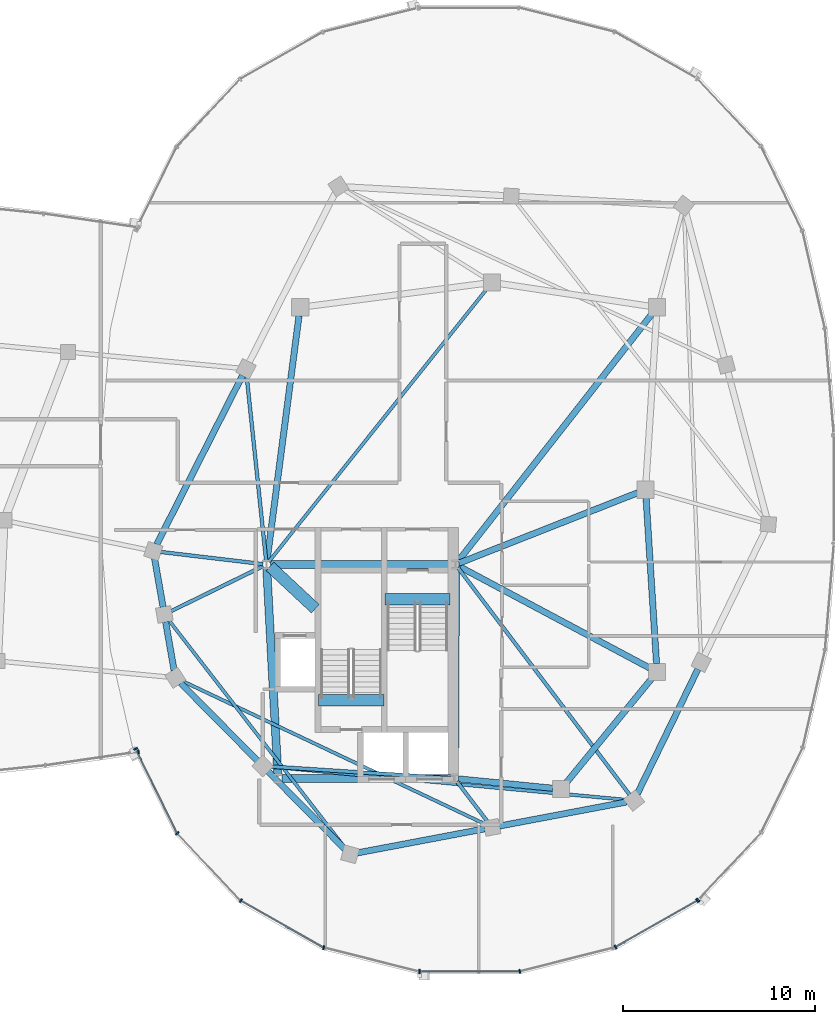
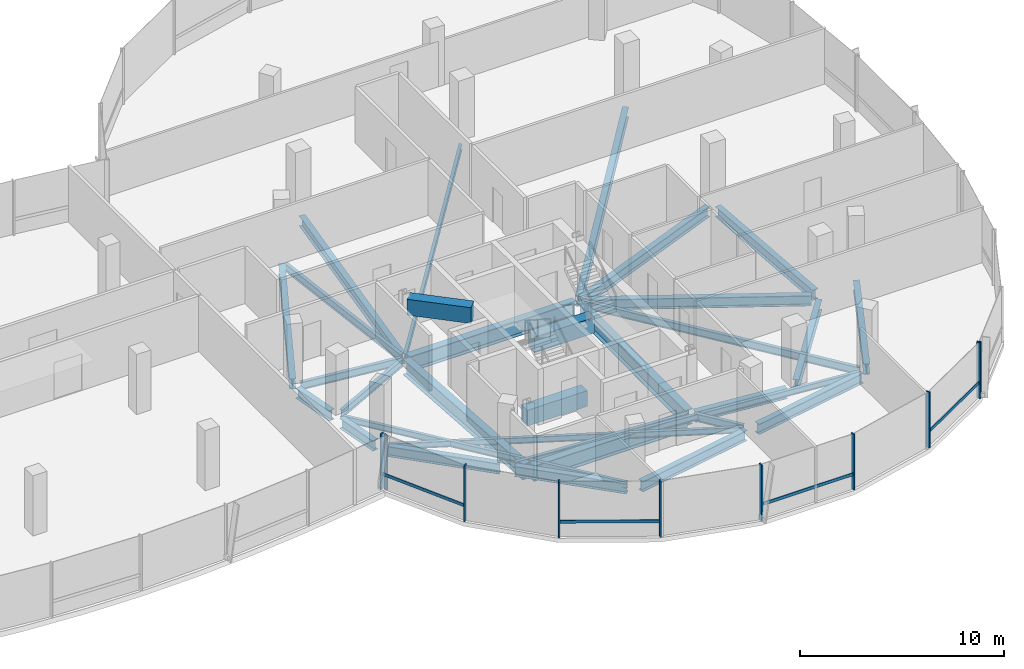
# One storey, part 8 of 26: 32 beams, 14 members, 3 elements without a shape of their own.
"""IFC4 building model written with IfcOpenShell, lengths in metres."""

import ifcopenshell
import ifcopenshell.guid

model = None  # the IFC model being written
_history = None  # IfcOwnerHistory: only IFC2X3 demands one
_inside = {}  # id of a spatial element -> (the spatial element, [elements in it])
_under = {}  # id of a project, library or spatial element -> (it, [spatial elements below it])
_declared = {}  # id of a project -> (the project, [libraries it declares])
_typed = {}  # id of a type object -> (the type object, [elements of that type])
_made_of = {}  # id of a material, layer set ... -> (it, [elements and type objects made of it])


def new_model(schema):
    """Start an empty IFC model of exactly this schema.

    Asked for "IFC4X3", IfcOpenShell would pick the latest addendum, in which some entities
    have other attributes; the version numbers below select the first issue.
    IFC2X3 requires an IfcOwnerHistory on every rooted entity: one is made here for all.
    """
    global model, _history
    if schema == "IFC4X3":
        model = ifcopenshell.file(schema_version=(4, 3, 0, 0))
    else:
        model = ifcopenshell.file(schema=schema)
    _inside.clear()
    _under.clear()
    _declared.clear()
    _typed.clear()
    _made_of.clear()
    _history = None
    if model.schema == "IFC2X3":
        org = make("IfcOrganization", Name="unknown")
        user = make(
            "IfcPersonAndOrganization",
            ThePerson=make("IfcPerson", FamilyName="unknown"),
            TheOrganization=org,
        )
        app = make(
            "IfcApplication",
            ApplicationDeveloper=org,
            Version="unknown",
            ApplicationFullName="unknown",
            ApplicationIdentifier="unknown",
        )
        _history = make(
            "IfcOwnerHistory",
            OwningUser=user,
            OwningApplication=app,
            ChangeAction="ADDED",
            CreationDate=0,
        )
    return model


def make(cls, **values):
    """One entity of the class cls with the attributes given. An attribute that is None is left unset."""
    return model.create_entity(
        cls, **{name: value for name, value in values.items() if value is not None}
    )


def rooted(cls, **values):
    """An entity with a GlobalId (a new one), such as an element, a storey or a relation."""
    return make(cls, GlobalId=ifcopenshell.guid.new(), OwnerHistory=_history, **values)


def si_unit(unit_type, name, prefix=None):
    """IfcSIUnit, for example si_unit("LENGTHUNIT", "METRE", prefix="MILLI")."""
    return make("IfcSIUnit", UnitType=unit_type, Prefix=prefix, Name=name)


def assignment(units):
    """IfcUnitAssignment: the units of a project."""
    return None if units is None else make("IfcUnitAssignment", Units=units)


def point(xyz):
    """IfcCartesianPoint."""
    return None if xyz is None else make("IfcCartesianPoint", Coordinates=xyz)


def direction(xyz):
    """IfcDirection."""
    return None if xyz is None else make("IfcDirection", DirectionRatios=xyz)


def frame(location, z_axis=None, x_axis=None):
    """IfcAxis2Placement3D, a coordinate frame: its origin and axes. An axis left out is left unset."""
    return make(
        "IfcAxis2Placement3D",
        Location=point(location),
        Axis=direction(z_axis),
        RefDirection=direction(x_axis),
    )


def frame_2d(location, x_axis=None):
    """IfcAxis2Placement2D, a coordinate frame in the plane: its origin and x axis."""
    return make(
        "IfcAxis2Placement2D", Location=point(location), RefDirection=direction(x_axis)
    )


def origin():
    """The frame at (0, 0, 0) with its axes left unset."""
    return frame((0.0, 0.0, 0.0))


def origin_2d():
    """The frame at (0, 0) in the plane with its x axis left unset."""
    return frame_2d((0.0, 0.0))


def place(relative_to, where):
    """IfcLocalPlacement: puts the frame where relative to a parent placement (None: the world)."""
    return make(
        "IfcLocalPlacement", PlacementRelTo=relative_to, RelativePlacement=where
    )


def context(
    kind, dimensions, precision=None, world=None, true_north=None, identifier=None
):
    """IfcGeometricRepresentationContext, for example the 3D "Model" context."""
    return make(
        "IfcGeometricRepresentationContext",
        ContextIdentifier=identifier,
        ContextType=kind,
        CoordinateSpaceDimension=dimensions,
        Precision=precision,
        WorldCoordinateSystem=world,
        TrueNorth=true_north,
    )


def subcontext(parent, identifier, kind, view, scale=None):
    """IfcGeometricRepresentationSubContext, for example "Body" below "Model"."""
    return make(
        "IfcGeometricRepresentationSubContext",
        ContextIdentifier=identifier,
        ContextType=kind,
        ParentContext=parent,
        TargetScale=scale,
        TargetView=view,
    )


def project(units=None, contexts=None):
    """IfcProject with its units and contexts."""
    return rooted(
        "IfcProject",
        Name="project",
        RepresentationContexts=contexts,
        UnitsInContext=assignment(units),
    )


def spatial(cls, under=None, at=None, **own):
    """A site, building, storey or space (cls), placed at a placement, below another one or the project."""
    s = rooted(cls, ObjectPlacement=at, **own)
    if under is not None:
        _under.setdefault(under.id(), (under, []))[1].append(s)
    return s


def profile(cls, at=None, kind="AREA", **sizes):
    """A parametric profile (cls). Its sizes go by their IFC names, for example OverallWidth=200.0."""
    return make(cls, ProfileType=kind, Position=at, **sizes)


def rectangle(**sizes):
    """IfcRectangleProfileDef."""
    return profile("IfcRectangleProfileDef", **sizes)


def i_section(**sizes):
    """IfcIShapeProfileDef."""
    return profile("IfcIShapeProfileDef", **sizes)


def extrude(swept, where, along, depth):
    """IfcExtrudedAreaSolid: the profile swept, set in the frame where, extruded along a direction by depth."""
    return make(
        "IfcExtrudedAreaSolid",
        SweptArea=swept,
        Position=where,
        ExtrudedDirection=direction(along),
        Depth=depth,
    )


def shape(context_of_items, identifier, shape_type, items):
    """IfcShapeRepresentation: the items that make up one representation, for example the "Body"."""
    return make(
        "IfcShapeRepresentation",
        ContextOfItems=context_of_items,
        RepresentationIdentifier=identifier,
        RepresentationType=shape_type,
        Items=items,
    )


def material(Name=None, Category=None):
    """IfcMaterial."""
    return make("IfcMaterial", Name=Name, Category=Category)


def material_profile(
    of_material, cross_section, Name=None, Category=None, Priority=None
):
    """IfcMaterialProfile: a cross section and its material."""
    return make(
        "IfcMaterialProfile",
        Name=Name,
        Material=of_material,
        Profile=cross_section,
        Priority=Priority,
        Category=Category,
    )


def profile_set(profiles, Name=None, composite=None):
    """IfcMaterialProfileSet."""
    return make(
        "IfcMaterialProfileSet",
        Name=Name,
        MaterialProfiles=profiles,
        CompositeProfile=composite,
    )


def made_of(thing, what):
    """Note that an element or type object is made of a material, layer set ...; save() writes the relation."""
    if what is not None:
        _made_of.setdefault(what.id(), (what, []))[1].append(thing)
    return thing


def type_object(cls, material=None, **own):
    """A type object (cls), such as IfcWallType, which elements share."""
    return made_of(rooted(cls, **own), material)


def element(
    cls,
    number,
    at=None,
    inside=None,
    cuts=None,
    type_object=None,
    material=None,
    context=None,
    identifier="Body",
    shape_type=None,
    held_by="IfcProductDefinitionShape",
    body=None,
    shapes=None,
    **own,
):
    """One element of the class cls, such as IfcWall. Its Tag is "e" and its number.

    at: its placement. inside: the storey or other place that contains it. cuts: it is an
    opening in that element (IfcRelVoidsElement). A single representation is given by context,
    identifier, shape_type and body (its items); several are given by shapes. held_by: the class
    of the entity that holds the representations. save() writes the other relations.
    """
    e = rooted(cls, Tag="e%d" % number, ObjectPlacement=at, **own)
    if body is not None:
        shapes = [shape(context, identifier, shape_type, body)]
    if shapes is not None:
        e.Representation = make(held_by, Representations=shapes)
    if inside is not None:
        _inside.setdefault(inside.id(), (inside, []))[1].append(e)
    if cuts is not None:
        rooted(
            "IfcRelVoidsElement", RelatingBuildingElement=cuts, RelatedOpeningElement=e
        )
    if type_object is not None:
        _typed.setdefault(type_object.id(), (type_object, []))[1].append(e)
    return made_of(e, material)


def aggregate(whole, parts):
    """IfcRelAggregates: a whole, such as a stair, and the parts it consists of."""
    return rooted("IfcRelAggregates", RelatingObject=whole, RelatedObjects=parts)


def save(model, path):
    """Write the relations noted so far, then the file.

    IfcRelAggregates (storeys below a building ...), IfcRelContainedInSpatialStructure (elements
    in a storey), IfcRelDefinesByType, IfcRelAssociatesMaterial and IfcRelDeclares: one each for
    every whole, place, type object, material and project.
    """
    for whole, parts in _under.values():
        aggregate(whole, parts)
    for where, things in _inside.values():
        rooted(
            "IfcRelContainedInSpatialStructure",
            RelatedElements=things,
            RelatingStructure=where,
        )
    for kind, things in _typed.values():
        rooted("IfcRelDefinesByType", RelatedObjects=things, RelatingType=kind)
    for what, things in _made_of.values():
        rooted("IfcRelAssociatesMaterial", RelatedObjects=things, RelatingMaterial=what)
    for by, libraries in _declared.values():
        rooted("IfcRelDeclares", RelatingContext=by, RelatedDefinitions=libraries)
    model.write(path)


model = new_model("IFC4")

# Units and contexts
model_context = context("Model", 3, precision=1e-05, world=origin(), true_north=direction((0.0, 1.0)))
body_context = subcontext(model_context, "Body", "Model", "MODEL_VIEW")
ifc_project = project(units=[si_unit("LENGTHUNIT", "METRE"), si_unit("AREAUNIT", "SQUARE_METRE"), si_unit("VOLUMEUNIT", "CUBIC_METRE"), si_unit("PLANEANGLEUNIT", "RADIAN"), si_unit("MASSUNIT", "GRAM", prefix="KILO"), si_unit("THERMODYNAMICTEMPERATUREUNIT", "KELVIN"), si_unit("POWERUNIT", "WATT")], contexts=[model_context])

# Site, building, storey
site_placement = place(None, origin())
site = spatial("IfcSite", under=ifc_project, at=site_placement, CompositionType="ELEMENT")
building_placement = place(site_placement, origin())
building = spatial("IfcBuilding", under=site, at=building_placement, Name="Cundina Bronze Exchange", CompositionType="ELEMENT")
storey_placement = place(building_placement, frame((0.0, 0.0, 264.800048828125)))
storey = spatial("IfcBuildingStorey", under=building, at=storey_placement, Name="L70", CompositionType="ELEMENT", Elevation=264.800048828125)

# Beams
ifc_material_1 = material(Name="Concrete C60/75", Category="concrete")
ifc_material_profile_1 = material_profile(ifc_material_1, rectangle(XDim=0.60009765625, YDim=0.949951171875, at=origin_2d()), Name="RC600X950", Category="concrete")
ifc_profile_set_1 = profile_set([ifc_material_profile_1], Name="Concrete C60/75")
beam_type_1 = type_object("IfcBeamType", Name="BM-COUP-RC950", PredefinedType="LINTEL", material=ifc_profile_set_1)
beam_1_placement = place(storey_placement, frame((27.6201171875, -5.719970703125, -0.47509765625), z_axis=(1.0, 0.0, 0.0), x_axis=(0.0, 1.0, 0.0)))
element("IfcBeam", 1, at=beam_1_placement, inside=storey, type_object=beam_type_1, Name="L70 Stair E1 Landing Header Beam", PredefinedType="LINTEL", context=body_context, shape_type="SweptSolid", body=[
    extrude(rectangle(XDim=0.60009765625, YDim=0.949951171875, at=origin_2d()), origin(), (0.0, 0.0, 1.0), 3.39990234375),
])
beam_2_placement = place(storey_placement, frame((24.159912109375, -10.97998046875, -0.47509765625), z_axis=(1.0, 0.0, 0.0), x_axis=(0.0, 1.0, 0.0)))
element("IfcBeam", 2, at=beam_2_placement, inside=storey, type_object=beam_type_1, Name="L70 Stair E2 Landing Header Beam", PredefinedType="LINTEL", context=body_context, shape_type="SweptSolid", body=[
    extrude(rectangle(XDim=0.60009765625, YDim=0.949951171875, at=origin_2d()), origin(), (0.0, 0.0, 1.0), 3.400146484375),
])
beam_3_placement = place(storey_placement, frame((21.6298828125, -4.0, 2.864990234375), z_axis=(0.731490439815, -0.681851696822, 0.0), x_axis=(0.681851696822, 0.731490439815, 0.0)))
element("IfcBeam", 3, at=beam_3_placement, inside=storey, type_object=beam_type_1, Name="L70 E Core Shear Coupling Lintel Beam", PredefinedType="LINTEL", context=body_context, shape_type="SweptSolid", body=[
    extrude(rectangle(XDim=0.60009765625, YDim=0.949951171875, at=origin_2d()), origin(), (0.0, 0.0, 1.0), 3.226318359375),
])
ifc_material_2 = material(Name="Steel ASTM A992 Grade 50", Category="steel")
ifc_material_profile_2 = material_profile(ifc_material_2, i_section(OverallWidth=0.19091796875, OverallDepth=0.4599609375, WebThickness=0.010009765625, FlangeThickness=0.01611328125, FilletRadius=0.011962890625, at=origin_2d()), Name="W18X55", Category="steel")
ifc_profile_set_2 = profile_set([ifc_material_profile_2], Name="Steel ASTM A992 Grade 50")
beam_type_2 = type_object("IfcBeamType", Name="BM-FLR-W18B", PredefinedType="BEAM", material=ifc_profile_set_2)
beam_4_placement = place(storey_placement, frame((21.25537109375, -3.876953125, -0.489990234375), z_axis=(-0.993031892142, 0.117845921393, 0.0), x_axis=(-0.117845921393, -0.993031892142, 0.0)))
element("IfcBeam", 4, at=beam_4_placement, inside=storey, type_object=beam_type_2, Name="L70 Leg E Chordal Floor Beam 00", PredefinedType="BEAM", context=body_context, shape_type="SweptSolid", body=[
    extrude(i_section(OverallWidth=0.19091796875, OverallDepth=0.4599609375, WebThickness=0.010009765625, FlangeThickness=0.01611328125, FilletRadius=0.011962890625, at=origin_2d()), origin(), (0.0, 0.0, 1.0), 5.357421875),
])
beam_5_placement = place(storey_placement, frame((21.27392578125, -3.986083984375, -0.489990234375), z_axis=(-0.898610260891, -0.438747762412, 0.0), x_axis=(0.438747762412, -0.898610260891, 0.0)))
element("IfcBeam", 5, at=beam_5_placement, inside=storey, type_object=beam_type_2, Name="L70 Leg E Chordal Floor Beam 01", PredefinedType="BEAM", context=body_context, shape_type="SweptSolid", body=[
    extrude(i_section(OverallWidth=0.19091796875, OverallDepth=0.4599609375, WebThickness=0.010009765625, FlangeThickness=0.01611328125, FilletRadius=0.011962890625, at=origin_2d()), origin(), (0.0, 0.0, 1.0), 5.341796875),
])
beam_6_placement = place(storey_placement, frame((31.054443359375, -15.037353515625, -0.489990234375), z_axis=(-0.997894580734, 0.064856809527, 0.0), x_axis=(-0.064856809527, -0.997894580734, 0.0)))
element("IfcBeam", 6, at=beam_6_placement, inside=storey, type_object=beam_type_2, Name="L70 Leg E Chordal Floor Beam 03", PredefinedType="BEAM", context=body_context, shape_type="SweptSolid", body=[
    extrude(i_section(OverallWidth=0.19091796875, OverallDepth=0.4599609375, WebThickness=0.010009765625, FlangeThickness=0.01611328125, FilletRadius=0.011962890625, at=origin_2d()), origin(), (0.0, 0.0, 1.0), 9.43701171875),
])
beam_7_placement = place(storey_placement, frame((31.369140625, -15.205810546875, -0.489990234375), z_axis=(0.607470812638, -0.794341999263, 0.0), x_axis=(0.794341999263, 0.607470812638, 0.0)))
element("IfcBeam", 7, at=beam_7_placement, inside=storey, type_object=beam_type_2, Name="L70 Leg E Chordal Floor Beam 05", PredefinedType="BEAM", context=body_context, shape_type="SweptSolid", body=[
    extrude(i_section(OverallWidth=0.19091796875, OverallDepth=0.4599609375, WebThickness=0.010009765625, FlangeThickness=0.01611328125, FilletRadius=0.011962890625, at=origin_2d()), origin(), (0.0, 0.0, 1.0), 2.6259765625),
])
beam_8_placement = place(storey_placement, frame((31.418212890625, -4.056396484375, -0.489990234375), z_axis=(0.603112871583, -0.797655855699, 0.0), x_axis=(0.797655855699, 0.603112871583, 0.0)))
element("IfcBeam", 8, at=beam_8_placement, inside=storey, type_object=beam_type_2, Name="L70 Leg E Chordal Floor Beam 06", PredefinedType="BEAM", context=body_context, shape_type="SweptSolid", body=[
    extrude(i_section(OverallWidth=0.19091796875, OverallDepth=0.4599609375, WebThickness=0.010009765625, FlangeThickness=0.01611328125, FilletRadius=0.011962890625, at=origin_2d()), origin(), (0.0, 0.0, 1.0), 14.8359375),
])
beam_9_placement = place(storey_placement, frame((21.429443359375, -3.705078125, -0.489990234375), z_axis=(-0.10480040809, 0.994493275223, 0.0), x_axis=(-0.994493275223, -0.10480040809, 0.0)))
element("IfcBeam", 9, at=beam_9_placement, inside=storey, type_object=beam_type_2, Name="L70 Leg E Chordal Floor Beam 13", PredefinedType="BEAM", context=body_context, shape_type="SweptSolid", body=[
    extrude(i_section(OverallWidth=0.19091796875, OverallDepth=0.4599609375, WebThickness=0.010009765625, FlangeThickness=0.01611328125, FilletRadius=0.011962890625, at=origin_2d()), origin(), (0.0, 0.0, 1.0), 9.67236328125),
])
ifc_material_profile_3 = material_profile(ifc_material_2, i_section(OverallWidth=0.172119140625, OverallDepth=0.35791015625, WebThickness=0.0078125, FlangeThickness=0.01318359375, FilletRadius=0.010009765625, at=origin_2d()), Name="W14X38", Category="steel")
ifc_profile_set_3 = profile_set([ifc_material_profile_3], Name="Steel ASTM A992 Grade 50")
beam_type_3 = type_object("IfcBeamType", Name="BM-JST-W14", PredefinedType="JOIST", material=ifc_profile_set_3)
beam_10_placement = place(storey_placement, frame((21.572509765625, -3.746826171875, -0.43896484375), z_axis=(0.624364266872, 0.781133319129, 0.0), x_axis=(-0.781133319129, 0.624364266872, 0.0)))
element("IfcBeam", 10, at=beam_10_placement, inside=storey, type_object=beam_type_3, Name="L70 E Interior Core-to-Ring Joist 2", PredefinedType="JOIST", context=body_context, shape_type="SweptSolid", body=[
    extrude(i_section(OverallWidth=0.172119140625, OverallDepth=0.35791015625, WebThickness=0.0078125, FlangeThickness=0.01318359375, FilletRadius=0.010009765625, at=origin_2d()), origin(), (0.0, 0.0, 1.0), 18.184814453125),
])
beam_11_placement = place(storey_placement, frame((16.362548828125, -6.806884765625, -0.43896484375), z_axis=(0.612077855816, -0.790797507849, 0.0), x_axis=(0.790797507849, 0.612077855816, 0.0)))
element("IfcBeam", 11, at=beam_11_placement, inside=storey, type_object=beam_type_3, Name="L70 Leg E Lobe Floor Joist 01-04", PredefinedType="JOIST", context=body_context, shape_type="SweptSolid", body=[
    extrude(i_section(OverallWidth=0.172119140625, OverallDepth=0.35791015625, WebThickness=0.0078125, FlangeThickness=0.01318359375, FilletRadius=0.010009765625, at=origin_2d()), origin(), (0.0, 0.0, 1.0), 15.03076171875),
])
beam_12_placement = place(storey_placement, frame((17.05078125, -9.9658203125, -0.43896484375), z_axis=(0.904073247994, -0.427377540661, 0.0), x_axis=(0.427377540661, 0.904073247994, 0.0)))
element("IfcBeam", 12, at=beam_12_placement, inside=storey, type_object=beam_type_3, Name="L70 Leg E Lobe Floor Joist 02-05", PredefinedType="JOIST", context=body_context, shape_type="SweptSolid", body=[
    extrude(i_section(OverallWidth=0.172119140625, OverallDepth=0.35791015625, WebThickness=0.0078125, FlangeThickness=0.01318359375, FilletRadius=0.010009765625, at=origin_2d()), origin(), (0.0, 0.0, 1.0), 17.474609375),
])
beam_13_placement = place(storey_placement, frame((21.63623046875, -14.435791015625, -0.43896484375), z_axis=(0.995700514338, -0.092630911398, 0.0), x_axis=(0.092630911398, 0.995700514338, 0.0)))
element("IfcBeam", 13, at=beam_13_placement, inside=storey, type_object=beam_type_3, Name="L70 Leg E Lobe Floor Joist 03-06", PredefinedType="JOIST", context=body_context, shape_type="SweptSolid", body=[
    extrude(i_section(OverallWidth=0.172119140625, OverallDepth=0.35791015625, WebThickness=0.0078125, FlangeThickness=0.01318359375, FilletRadius=0.010009765625, at=origin_2d()), origin(), (0.0, 0.0, 1.0), 18.65771484375),
])
ifc_material_profile_4 = material_profile(ifc_material_2, i_section(OverallWidth=0.324951171875, OverallDepth=0.615966796875, WebThickness=0.013916015625, FlangeThickness=0.021484375, FilletRadius=0.01611328125, at=origin_2d()), Name="W24X117", Category="steel")
ifc_profile_set_4 = profile_set([ifc_material_profile_4], Name="Steel ASTM A992 Grade 50")
beam_type_4 = type_object("IfcBeamType", Name="BM-RING-W24", PredefinedType="USERDEFINED", material=ifc_profile_set_4)
beam_14_placement = place(storey_placement, frame((31.445068359375, -15.0693359375, -0.568115234375), z_axis=(0.995123854478, -0.09863323096, 0.0), x_axis=(0.09863323096, 0.995123854478, 0.0)))
element("IfcBeam", 14, at=beam_14_placement, inside=storey, type_object=beam_type_4, Name="L70 E Inner Structural Ring Girder 01", ObjectType="GIRDER", PredefinedType="USERDEFINED", context=body_context, shape_type="SweptSolid", body=[
    extrude(i_section(OverallWidth=0.324951171875, OverallDepth=0.615966796875, WebThickness=0.013916015625, FlangeThickness=0.021484375, FilletRadius=0.01611328125, at=origin_2d()), origin(), (0.0, 0.0, 1.0), 4.943115234375),
])
beam_15_placement = place(storey_placement, frame((37.07763671875, -15.26123046875, -0.568115234375), z_axis=(0.633912590175, 0.77340469873, 0.0), x_axis=(-0.77340469873, 0.633912590175, 0.0)))
element("IfcBeam", 15, at=beam_15_placement, inside=storey, type_object=beam_type_4, Name="L70 E Inner Structural Ring Girder 02", ObjectType="GIRDER", PredefinedType="USERDEFINED", context=body_context, shape_type="SweptSolid", body=[
    extrude(i_section(OverallWidth=0.324951171875, OverallDepth=0.615966796875, WebThickness=0.013916015625, FlangeThickness=0.021484375, FilletRadius=0.01611328125, at=origin_2d()), origin(), (0.0, 0.0, 1.0), 7.01123046875),
])
beam_16_placement = place(storey_placement, frame((41.7724609375, -9.06298828125, -0.568115234375), z_axis=(-0.063046519736, 0.998010589297, 0.0), x_axis=(-0.998010589297, -0.063046519736, 0.0)))
element("IfcBeam", 16, at=beam_16_placement, inside=storey, type_object=beam_type_4, Name="L70 E Inner Structural Ring Girder 03", ObjectType="GIRDER", PredefinedType="USERDEFINED", context=body_context, shape_type="SweptSolid", body=[
    extrude(i_section(OverallWidth=0.324951171875, OverallDepth=0.615966796875, WebThickness=0.013916015625, FlangeThickness=0.021484375, FilletRadius=0.01611328125, at=origin_2d()), origin(), (0.0, 0.0, 1.0), 8.64306640625),
])
beam_17_placement = place(storey_placement, frame((23.143310546875, 9.065673828125, -0.568115234375), z_axis=(-0.129501251979, -0.991579258424, 0.0), x_axis=(0.991579258424, -0.129501251979, 0.0)))
element("IfcBeam", 17, at=beam_17_placement, inside=storey, type_object=beam_type_4, Name="L70 E Inner Structural Ring Girder 07", ObjectType="GIRDER", PredefinedType="USERDEFINED", context=body_context, shape_type="SweptSolid", body=[
    extrude(i_section(OverallWidth=0.324951171875, OverallDepth=0.615966796875, WebThickness=0.013916015625, FlangeThickness=0.021484375, FilletRadius=0.01611328125, at=origin_2d()), origin(), (0.0, 0.0, 1.0), 12.8798828125),
])
beam_18_placement = place(storey_placement, frame((31.482421875, -3.828125, -0.568115234375), z_axis=(0.930404106569, 0.366535398673, 0.0), x_axis=(-0.366535398673, 0.930404106569, 0.0)))
element("IfcBeam", 18, at=beam_18_placement, inside=storey, type_object=beam_type_4, Name="L70 E Core-to-Waist Tie Beam 1", ObjectType="GIRDER", PredefinedType="USERDEFINED", context=body_context, shape_type="SweptSolid", body=[
    extrude(i_section(OverallWidth=0.324951171875, OverallDepth=0.615966796875, WebThickness=0.013916015625, FlangeThickness=0.021484375, FilletRadius=0.01611328125, at=origin_2d()), origin(), (0.0, 0.0, 1.0), 10.00634765625),
])
beam_19_placement = place(storey_placement, frame((31.472900390625, -3.9921875, -0.568115234375), z_axis=(0.882350541683, -0.470592734317, 0.0), x_axis=(0.470592734317, 0.882350541683, 0.0)))
element("IfcBeam", 19, at=beam_19_placement, inside=storey, type_object=beam_type_4, Name="L70 E Core-to-Waist Tie Beam 2", ObjectType="GIRDER", PredefinedType="USERDEFINED", context=body_context, shape_type="SweptSolid", body=[
    extrude(i_section(OverallWidth=0.324951171875, OverallDepth=0.615966796875, WebThickness=0.013916015625, FlangeThickness=0.021484375, FilletRadius=0.01611328125, at=origin_2d()), origin(), (0.0, 0.0, 1.0), 11.26611328125),
])
beam_20_placement = place(storey_placement, frame((31.4208984375, -3.74560546875, -0.568115234375), z_axis=(0.616782900053, 0.787133314123, 0.0), x_axis=(-0.787133314123, 0.616782900053, 0.0)))
element("IfcBeam", 20, at=beam_20_placement, inside=storey, type_object=beam_type_4, Name="L70 E Core-to-Waist Tie Beam 3", ObjectType="GIRDER", PredefinedType="USERDEFINED", context=body_context, shape_type="SweptSolid", body=[
    extrude(i_section(OverallWidth=0.324951171875, OverallDepth=0.615966796875, WebThickness=0.013916015625, FlangeThickness=0.021484375, FilletRadius=0.01611328125, at=origin_2d()), origin(), (0.0, 0.0, 1.0), 16.3896484375),
])
for number, where, z_axis, x_axis, name in (
    (21, (15.61669921875, -3.582275390625, -0.568115234375), (0.171593362587, -0.985167862811, 0.0), (0.985167862811, 0.171593362587, 0.0), "L70 E Perimeter Ring Girder 00"),
    (22, (16.191650390625, -6.882080078125, -0.568115234375), (0.171593362587, -0.985167862811, 0.0), (0.985167862811, 0.171593362587, 0.0), "L70 E Perimeter Ring Girder 01"),
):
    element("IfcBeam", number, at=place(storey_placement, frame(where, z_axis=z_axis, x_axis=x_axis)), inside=storey, type_object=beam_type_4, Name=name, ObjectType="GIRDER", PredefinedType="USERDEFINED", context=body_context, shape_type="SweptSolid", body=[
        extrude(i_section(OverallWidth=0.324951171875, OverallDepth=0.615966796875, WebThickness=0.013916015625, FlangeThickness=0.021484375, FilletRadius=0.01611328125, at=origin_2d()), origin(), (0.0, 0.0, 1.0), 2.57373046875),
    ])
beam_21_placement = place(storey_placement, frame((16.972900390625, -10.075927734375, -0.568115234375), z_axis=(0.703237257446, -0.710955244541, 0.0), x_axis=(0.710955244541, 0.703237257446, 0.0)))
element("IfcBeam", 23, at=beam_21_placement, inside=storey, type_object=beam_type_4, Name="L70 E Perimeter Ring Girder 02", ObjectType="GIRDER", PredefinedType="USERDEFINED", context=body_context, shape_type="SweptSolid", body=[
    extrude(i_section(OverallWidth=0.324951171875, OverallDepth=0.615966796875, WebThickness=0.013916015625, FlangeThickness=0.021484375, FilletRadius=0.01611328125, at=origin_2d()), origin(), (0.0, 0.0, 1.0), 5.69384765625),
])
beam_22_placement = place(storey_placement, frame((21.52294921875, -14.67578125, -0.568115234375), z_axis=(0.703215820204, -0.710976448425, 0.0), x_axis=(0.710976448425, 0.703215820204, 0.0)))
element("IfcBeam", 24, at=beam_22_placement, inside=storey, type_object=beam_type_4, Name="L70 E Perimeter Ring Girder 03", ObjectType="GIRDER", PredefinedType="USERDEFINED", context=body_context, shape_type="SweptSolid", body=[
    extrude(i_section(OverallWidth=0.324951171875, OverallDepth=0.615966796875, WebThickness=0.013916015625, FlangeThickness=0.021484375, FilletRadius=0.01611328125, at=origin_2d()), origin(), (0.0, 0.0, 1.0), 5.694091796875),
])
beam_23_placement = place(storey_placement, frame((26.18115234375, -18.927978515625, -0.568115234375), z_axis=(0.982568104771, 0.185902984072, 0.0), x_axis=(-0.185902984072, 0.982568104771, 0.0)))
element("IfcBeam", 25, at=beam_23_placement, inside=storey, type_object=beam_type_4, Name="L70 E Perimeter Ring Girder 04", ObjectType="GIRDER", PredefinedType="USERDEFINED", context=body_context, shape_type="SweptSolid", body=[
    extrude(i_section(OverallWidth=0.324951171875, OverallDepth=0.615966796875, WebThickness=0.013916015625, FlangeThickness=0.021484375, FilletRadius=0.01611328125, at=origin_2d()), origin(), (0.0, 0.0, 1.0), 6.75537109375),
])
beam_24_placement = place(storey_placement, frame((33.581298828125, -17.52783203125, -0.568115234375), z_axis=(0.982573456977, 0.185874693392, 0.0), x_axis=(-0.185874693392, 0.982573456977, 0.0)))
element("IfcBeam", 26, at=beam_24_placement, inside=storey, type_object=beam_type_4, Name="L70 E Perimeter Ring Girder 05", ObjectType="GIRDER", PredefinedType="USERDEFINED", context=body_context, shape_type="SweptSolid", body=[
    extrude(i_section(OverallWidth=0.324951171875, OverallDepth=0.615966796875, WebThickness=0.013916015625, FlangeThickness=0.021484375, FilletRadius=0.01611328125, at=origin_2d()), origin(), (0.0, 0.0, 1.0), 6.755126953125),
])
beam_25_placement = place(storey_placement, frame((40.76953125, -15.85107421875, -0.568115234375), z_axis=(0.437216986791, 0.899356050995, 0.0), x_axis=(-0.899356050995, 0.437216986791, 0.0)))
element("IfcBeam", 27, at=beam_25_placement, inside=storey, type_object=beam_type_4, Name="L70 E Perimeter Ring Girder 06", ObjectType="GIRDER", PredefinedType="USERDEFINED", context=body_context, shape_type="SweptSolid", body=[
    extrude(i_section(OverallWidth=0.324951171875, OverallDepth=0.615966796875, WebThickness=0.013916015625, FlangeThickness=0.021484375, FilletRadius=0.01611328125, at=origin_2d()), origin(), (0.0, 0.0, 1.0), 7.2294921875),
])
beam_26_placement = place(storey_placement, frame((20.19921875, 5.9541015625, -0.568115234375), z_axis=(-0.452839263805, -0.891592171991, 0.0), x_axis=(0.891592171991, -0.452839263805, 0.0)))
element("IfcBeam", 28, at=beam_26_placement, inside=storey, type_object=beam_type_4, Name="L70 E Perimeter Ring Girder 13", ObjectType="GIRDER", PredefinedType="USERDEFINED", context=body_context, shape_type="SweptSolid", body=[
    extrude(i_section(OverallWidth=0.324951171875, OverallDepth=0.615966796875, WebThickness=0.013916015625, FlangeThickness=0.021484375, FilletRadius=0.01611328125, at=origin_2d()), origin(), (0.0, 0.0, 1.0), 9.879150390625),
])
ifc_material_profile_5 = material_profile(ifc_material_2, i_section(OverallWidth=0.41796875, OverallDepth=0.927001953125, WebThickness=0.019287109375, FlangeThickness=0.031982421875, FilletRadius=0.02392578125, at=origin_2d()), Name="W36X231", Category="steel")
ifc_profile_set_5 = profile_set([ifc_material_profile_5], Name="Steel ASTM A992 Grade 50")
beam_type_5 = type_object("IfcBeamType", Name="BM-WRN-W36B", PredefinedType="USERDEFINED", material=ifc_profile_set_5)
beam_27_placement = place(storey_placement, frame((31.10400390625, -3.89990234375, -0.7236328125), z_axis=(-1.0, 0.0, 0.0), x_axis=(0.0, -1.0, 0.0)))
element("IfcBeam", 29, at=beam_27_placement, inside=storey, type_object=beam_type_5, Name="L70 E Core Perimeter Tie Girder 1", ObjectType="GIRDER", PredefinedType="USERDEFINED", context=body_context, shape_type="SweptSolid", body=[
    extrude(i_section(OverallWidth=0.41796875, OverallDepth=0.927001953125, WebThickness=0.019287109375, FlangeThickness=0.031982421875, FilletRadius=0.02392578125, at=origin_2d()), origin(), (0.0, 0.0, 1.0), 9.4580078125),
])
beam_28_placement = place(storey_placement, frame((21.46044921875, -4.095703125, -0.7236328125), z_axis=(0.053749317644, -0.998554460634, 0.0), x_axis=(0.998554460634, 0.053749317644, 0.0)))
element("IfcBeam", 30, at=beam_28_placement, inside=storey, type_object=beam_type_5, Name="L70 E Core Perimeter Tie Girder 2", ObjectType="GIRDER", PredefinedType="USERDEFINED", context=body_context, shape_type="SweptSolid", body=[
    extrude(i_section(OverallWidth=0.41796875, OverallDepth=0.927001953125, WebThickness=0.019287109375, FlangeThickness=0.031982421875, FilletRadius=0.02392578125, at=origin_2d()), origin(), (0.0, 0.0, 1.0), 10.774169921875),
])
beam_29_placement = place(storey_placement, frame((22.24609375, -15.050048828125, -0.7236328125), z_axis=(1.0, 0.0, 0.0), x_axis=(0.0, 1.0, 0.0)))
element("IfcBeam", 31, at=beam_29_placement, inside=storey, type_object=beam_type_5, Name="L70 E Core Perimeter Tie Girder 3", ObjectType="GIRDER", PredefinedType="USERDEFINED", context=body_context, shape_type="SweptSolid", body=[
    extrude(i_section(OverallWidth=0.41796875, OverallDepth=0.927001953125, WebThickness=0.019287109375, FlangeThickness=0.031982421875, FilletRadius=0.02392578125, at=origin_2d()), origin(), (0.0, 0.0, 1.0), 8.807861328125),
])
beam_30_placement = place(storey_placement, frame((31.2509765625, -14.85400390625, -0.7236328125), z_axis=(0.004470623654, 0.999990006712, 0.0), x_axis=(-0.999990006712, 0.004470623654, 0.0)))
element("IfcBeam", 32, at=beam_30_placement, inside=storey, type_object=beam_type_5, Name="L70 E Core Perimeter Tie Girder 4", ObjectType="GIRDER", PredefinedType="USERDEFINED", context=body_context, shape_type="SweptSolid", body=[
    extrude(i_section(OverallWidth=0.41796875, OverallDepth=0.927001953125, WebThickness=0.019287109375, FlangeThickness=0.031982421875, FilletRadius=0.02392578125, at=origin_2d()), origin(), (0.0, 0.0, 1.0), 10.758056640625),
])

# Curtain wall, members
ifc_material_3 = material(Name="Anodised Bronze Aluminium 6063-T6", Category="aluminium")
curtain_wall_type = type_object("IfcCurtainWallType", Name="CWS-SKG-BRG", PredefinedType="NOTDEFINED", material=ifc_material_3)
curtain_wall_1_placement = place(storey_placement, origin())
curtain_wall_1 = element("IfcCurtainWall", 33, at=curtain_wall_1_placement, inside=storey, type_object=curtain_wall_type, Name="L70 CW-06 Curtain Wall Run CWR-L70-E3", PredefinedType="NOTDEFINED")
ifc_material_profile_6 = material_profile(ifc_material_3, rectangle(XDim=0.074951171875, YDim=0.219970703125, at=origin_2d()), Name="AL75X220", Category="aluminium")
ifc_profile_set_6 = profile_set([ifc_material_profile_6], Name="Anodised Bronze Aluminium 6063-T6")
member_type_1 = type_object("IfcMemberType", Name="CWM-MUL-220", PredefinedType="MULLION", material=ifc_profile_set_6)
member_1_placement = place(storey_placement, frame((14.630859375, -13.50390625, 0.0), z_axis=(0.0, 0.0, 1.0), x_axis=(0.440566004113, -0.897720221461, 0.0)))
member_1 = element("IfcMember", 34, at=member_1_placement, type_object=member_type_1, Name="CW-06 Mullion 1", PredefinedType="MULLION", context=body_context, shape_type="SweptSolid", body=[
    extrude(rectangle(XDim=0.074951171875, YDim=0.219970703125, at=origin_2d()), origin(), (0.0, 0.0, 1.0), 3.33984375),
])
member_2_placement = place(storey_placement, frame((16.8037109375, -17.910400390625, 0.0), z_axis=(0.0, 0.0, 1.0), x_axis=(0.684292606175, -0.729207535023, 0.0)))
member_2 = element("IfcMember", 35, at=member_2_placement, type_object=member_type_1, Name="CW-06 Mullion 2", PredefinedType="MULLION", context=body_context, shape_type="SweptSolid", body=[
    extrude(rectangle(XDim=0.074951171875, YDim=0.219970703125, at=origin_2d()), origin(), (0.0, 0.0, 1.0), 3.33984375),
])
member_3_placement = place(storey_placement, frame((20.11083984375, -21.419921875, 0.0), z_axis=(0.0, 0.0, 1.0), x_axis=(0.86958112538, -0.493790103568, 0.0)))
member_3 = element("IfcMember", 36, at=member_3_placement, type_object=member_type_1, Name="CW-06 Mullion 3", PredefinedType="MULLION", context=body_context, shape_type="SweptSolid", body=[
    extrude(rectangle(XDim=0.074951171875, YDim=0.219970703125, at=origin_2d()), origin(), (0.0, 0.0, 1.0), 3.33984375),
])
member_4_placement = place(storey_placement, frame((24.4296875, -23.86181640625, 0.0), z_axis=(0.0, 0.0, 1.0), x_axis=(0.969744325821, -0.244122802168, 0.0)))
member_4 = element("IfcMember", 37, at=member_4_placement, type_object=member_type_1, Name="CW-06 Mullion 4", PredefinedType="MULLION", context=body_context, shape_type="SweptSolid", body=[
    extrude(rectangle(XDim=0.074951171875, YDim=0.219970703125, at=origin_2d()), origin(), (0.0, 0.0, 1.0), 3.33984375),
])
member_5_placement = place(storey_placement, frame((29.423583984375, -25.110107421875, 0.0), z_axis=(0.0, 0.0, 1.0), x_axis=(1.0, 0.0, 0.0)))
member_5 = element("IfcMember", 38, at=member_5_placement, type_object=member_type_1, Name="CW-06 Mullion 5", PredefinedType="MULLION", context=body_context, shape_type="SweptSolid", body=[
    extrude(rectangle(XDim=0.074951171875, YDim=0.219970703125, at=origin_2d()), origin(), (0.0, 0.0, 1.0), 3.33984375),
])
member_6_placement = place(storey_placement, frame((34.648193359375, -25.10107421875, 0.0), z_axis=(0.0, 0.0, 1.0), x_axis=(0.969744325821, 0.244122802168, 0.0)))
member_6 = element("IfcMember", 39, at=member_6_placement, type_object=member_type_1, Name="CW-06 Mullion 6", PredefinedType="MULLION", context=body_context, shape_type="SweptSolid", body=[
    extrude(rectangle(XDim=0.074951171875, YDim=0.219970703125, at=origin_2d()), origin(), (0.0, 0.0, 1.0), 3.33984375),
])
member_7_placement = place(storey_placement, frame((39.634521484375, -23.8359375, 0.0), z_axis=(0.0, 0.0, 1.0), x_axis=(0.86958112538, 0.493790103568, 0.0)))
member_7 = element("IfcMember", 40, at=member_7_placement, type_object=member_type_1, Name="CW-06 Mullion 7", PredefinedType="MULLION", context=body_context, shape_type="SweptSolid", body=[
    extrude(rectangle(XDim=0.074951171875, YDim=0.219970703125, at=origin_2d()), origin(), (0.0, 0.0, 1.0), 3.33984375),
])
member_8_placement = place(storey_placement, frame((43.88916015625, -21.419921875, 0.0), z_axis=(0.0, 0.0, 1.0), x_axis=(0.86958112538, 0.493790103568, 0.0)))
member_8 = element("IfcMember", 41, at=member_8_placement, type_object=member_type_1, Name="CW-06 End Mullion", PredefinedType="MULLION", context=body_context, shape_type="SweptSolid", body=[
    extrude(rectangle(XDim=0.074951171875, YDim=0.219970703125, at=origin_2d()), origin(), (0.0, 0.0, 1.0), 3.33984375),
])

# Curtain wall, member
curtain_wall_2_placement = place(storey_placement, origin())
curtain_wall_2 = element("IfcCurtainWall", 42, at=curtain_wall_2_placement, inside=storey, type_object=curtain_wall_type, Name="L70 CW-06 Curtain Wall Run CWR-L70-E4", PredefinedType="NOTDEFINED")
member_9_placement = place(storey_placement, frame((43.940185546875, -21.3798828125, 0.0), z_axis=(0.0, 0.0, 1.0), x_axis=(0.684292606175, 0.729207535023, 0.0)))
member_9 = element("IfcMember", 43, at=member_9_placement, type_object=member_type_1, Name="CW-06 Mullion 1", PredefinedType="MULLION", context=body_context, shape_type="SweptSolid", body=[
    extrude(rectangle(XDim=0.074951171875, YDim=0.219970703125, at=origin_2d()), origin(), (0.0, 0.0, 1.0), 3.33984375),
])
aggregate(curtain_wall_2, [member_9])

curtain_wall_3_placement = place(storey_placement, origin())
curtain_wall_3 = element("IfcCurtainWall", 44, at=curtain_wall_3_placement, inside=storey, type_object=curtain_wall_type, Name="L70 CW-06 Curtain Wall Run CWR-L70-BRGS", PredefinedType="NOTDEFINED")
member_10_placement = place(storey_placement, frame((14.779296875, -13.658935546875, 0.0), z_axis=(0.0, 0.0, 1.0), x_axis=(0.989525789069, 0.144356201001, 0.0)))
member_10 = element("IfcMember", 45, at=member_10_placement, type_object=member_type_1, Name="CW-06 End Mullion", PredefinedType="MULLION", context=body_context, shape_type="SweptSolid", body=[
    extrude(rectangle(XDim=0.074951171875, YDim=0.219970703125, at=origin_2d()), origin(), (0.0, 0.0, 1.0), 3.280029296875),
])
aggregate(curtain_wall_3, [member_10])

# Member
ifc_material_profile_7 = material_profile(ifc_material_3, rectangle(XDim=0.070068359375, YDim=0.179931640625, at=origin_2d()), Name="AL70X180", Category="aluminium")
ifc_profile_set_7 = profile_set([ifc_material_profile_7], Name="Anodised Bronze Aluminium 6063-T6")
member_type_2 = type_object("IfcMemberType", Name="CWM-TRN-180", PredefinedType="USERDEFINED", material=ifc_profile_set_7)
member_11_placement = place(storey_placement, frame((14.64892578125, -13.541015625, 0.919921875), z_axis=(0.440554408939, -0.897725911826, 0.0), x_axis=(0.897725911826, 0.440554408939, 0.0)))
member_11 = element("IfcMember", 46, at=member_11_placement, type_object=member_type_2, Name="CW-06 Spandrel Transom 1", ObjectType="TRANSOM", PredefinedType="USERDEFINED", context=body_context, shape_type="SweptSolid", body=[
    extrude(rectangle(XDim=0.070068359375, YDim=0.179931640625, at=origin_2d()), origin(), (0.0, 0.0, 1.0), 4.848388671875),
])

member_12_placement = place(storey_placement, frame((20.146728515625, -21.440185546875, 0.919921875), z_axis=(0.869557366176, -0.493831941989, 0.0), x_axis=(0.493831941989, 0.869557366176, 0.0)))
member_12 = element("IfcMember", 47, at=member_12_placement, type_object=member_type_2, Name="CW-06 Spandrel Transom 3", ObjectType="TRANSOM", PredefinedType="USERDEFINED", context=body_context, shape_type="SweptSolid", body=[
    extrude(rectangle(XDim=0.070068359375, YDim=0.179931640625, at=origin_2d()), origin(), (0.0, 0.0, 1.0), 4.892822265625),
])

member_13_placement = place(storey_placement, frame((29.464599609375, -25.110107421875, 0.919921875), z_axis=(1.0, 0.0, 0.0), x_axis=(0.0, 1.0, 0.0)))
member_13 = element("IfcMember", 48, at=member_13_placement, type_object=member_type_2, Name="CW-06 Spandrel Transom 5", ObjectType="TRANSOM", PredefinedType="USERDEFINED", context=body_context, shape_type="SweptSolid", body=[
    extrude(rectangle(XDim=0.070068359375, YDim=0.179931640625, at=origin_2d()), origin(), (0.0, 0.0, 1.0), 5.1533203125),
])

member_14_placement = place(storey_placement, frame((39.67041015625, -23.815673828125, 0.919921875), z_axis=(0.869558105282, 0.493830640542, 0.0), x_axis=(-0.493830640542, 0.869558105282, 0.0)))
member_14 = element("IfcMember", 49, at=member_14_placement, type_object=member_type_2, Name="CW-06 Spandrel Transom 7", ObjectType="TRANSOM", PredefinedType="USERDEFINED", context=body_context, shape_type="SweptSolid", body=[
    extrude(rectangle(XDim=0.070068359375, YDim=0.179931640625, at=origin_2d()), origin(), (0.0, 0.0, 1.0), 4.810302734375),
])

aggregate(curtain_wall_1, [member_1, member_11, member_2, member_3, member_12, member_4, member_5, member_13, member_6, member_7, member_8, member_14])

save(model, "model.ifc")
